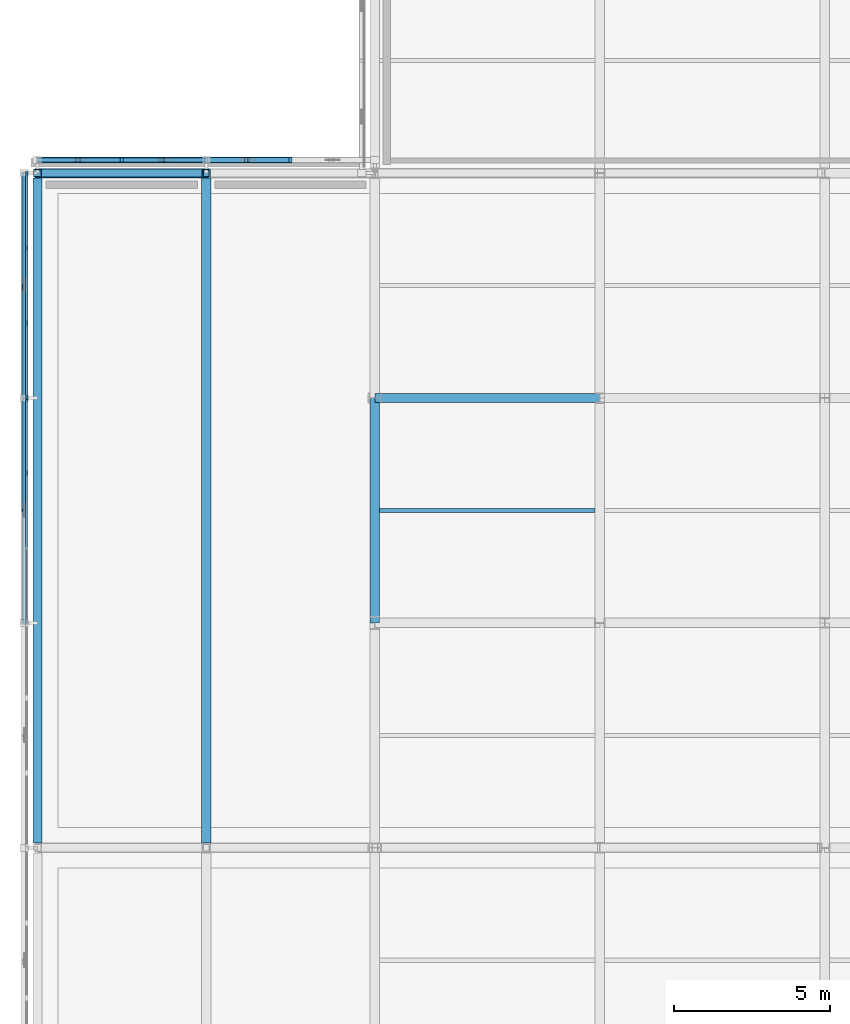
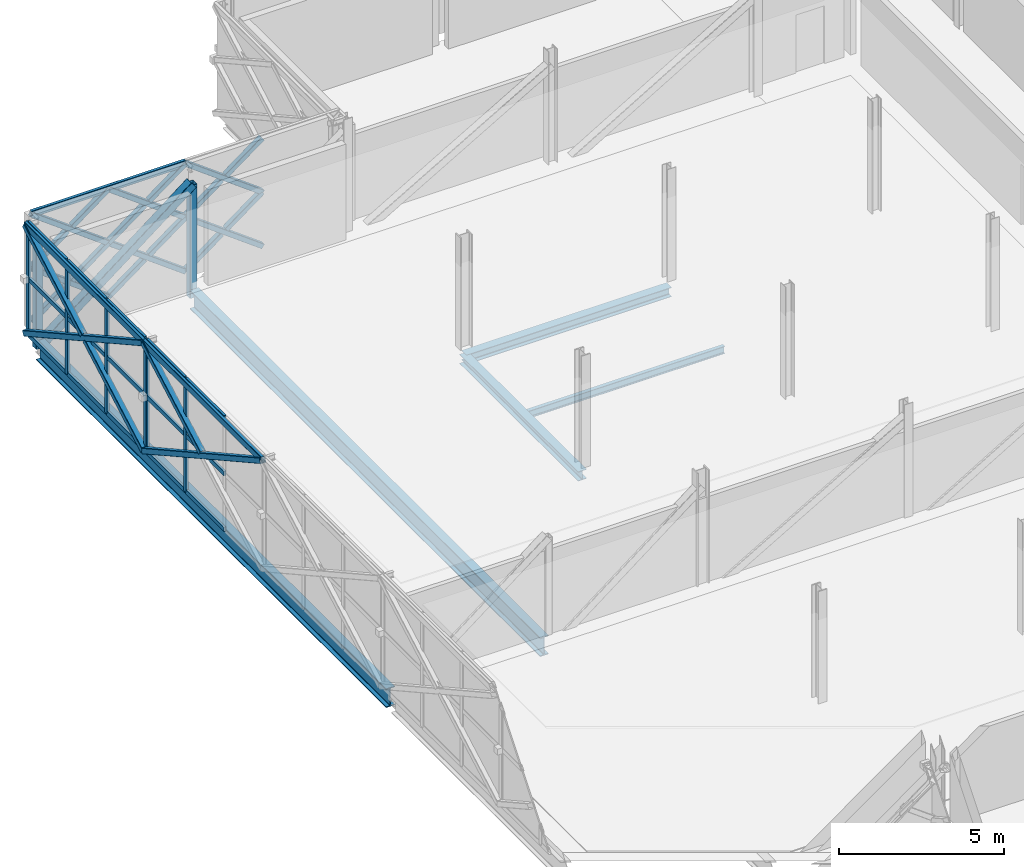
# One storey, part 42 of 126: 50 members, 5 beams, 2 elements without a shape of their own.
"""IFC4 building model written with IfcOpenShell, lengths in metres."""

from ifc_helpers import new_model, si_unit, direction, frame, origin, origin_2d, place, context, subcontext, project, spatial, rectangle, hollow_rectangle, i_section, extrude, material, material_profile, profile_set, type_object, element, aggregate, save


model = new_model("IFC4")

# Units and contexts
model_context = context("Model", 3, precision=1e-05, world=origin(), true_north=direction((0.0, 1.0)))
body_context = subcontext(model_context, "Body", "Model", "MODEL_VIEW")
ifc_project = project(units=[si_unit("LENGTHUNIT", "METRE"), si_unit("AREAUNIT", "SQUARE_METRE"), si_unit("VOLUMEUNIT", "CUBIC_METRE"), si_unit("PLANEANGLEUNIT", "RADIAN"), si_unit("MASSUNIT", "GRAM", prefix="KILO")], contexts=[model_context])

# Site, building, storey
site_placement = place(None, origin())
site = spatial("IfcSite", under=ifc_project, at=site_placement, CompositionType="ELEMENT")
building_placement = place(site_placement, origin())
building = spatial("IfcBuilding", under=site, at=building_placement, Name="Zlatovets Crest Museum", CompositionType="ELEMENT")
storey_placement = place(building_placement, frame((0.0, 0.0, 8.699951171875)))
storey = spatial("IfcBuildingStorey", under=building, at=storey_placement, Name="L02", CompositionType="ELEMENT", Elevation=8.699951171875)

# Beams
ifc_material_1 = material(Name="Structural steel S355J2", Category="steel")
ifc_material_profile_1 = material_profile(ifc_material_1, i_section(OverallWidth=0.300048828125, OverallDepth=0.35009765625, WebThickness=0.010009765625, FlangeThickness=0.017578125, FilletRadius=0.027099609375, at=origin_2d()), Name="HEA 360")
ifc_profile_set_1 = profile_set([ifc_material_profile_1], Name="Structural steel S355J2")
beam_type_1 = type_object("IfcBeamType", Name="Beam_B-03", PredefinedType="BEAM", material=ifc_profile_set_1)
for number, where, z_axis, x_axis, name in (
    (1, (7.199951171875, 86.39990234375, -0.39501953125), (1.0, 0.0, 0.0), (0.0, 1.0, 0.0), "V4 L02 Primary Girder B-03"),
    (2, (7.199951171875, 79.199951171875, -0.39501953125), (0.0, 1.0, 0.0), (-1.0, 0.0, 0.0), "V4 L02 Grid Beam B-03"),
):
    element("IfcBeam", number, at=place(storey_placement, frame(where, z_axis=z_axis, x_axis=x_axis)), inside=storey, type_object=beam_type_1, Name=name, PredefinedType="BEAM", context=body_context, shape_type="SweptSolid", body=[
        extrude(i_section(OverallWidth=0.300048828125, OverallDepth=0.35009765625, WebThickness=0.010009765625, FlangeThickness=0.017578125, FilletRadius=0.027099609375, at=origin_2d()), origin(), (0.0, 0.0, 1.0), 7.199951171875),
    ])
ifc_material_profile_2 = material_profile(ifc_material_1, i_section(OverallWidth=0.300048828125, OverallDepth=0.699951171875, WebThickness=0.01708984375, FlangeThickness=0.031982421875, FilletRadius=0.027099609375, at=origin_2d()), Name="HEB 700")
ifc_profile_set_2 = profile_set([ifc_material_profile_2], Name="Structural steel S355J2")
beam_type_2 = type_object("IfcBeamType", Name="Beam_B-08", PredefinedType="BEAM", material=ifc_profile_set_2)
for number, where, z_axis, x_axis, name in (
    (3, (-3.60009765625, 72.159912109375, -0.570068359375), (0.0, 1.0, 0.0), (-1.0, 0.0, 0.0), "Cantilever Gallery L02 Floor Beam B-08"),
    (4, (1.800048828125, 72.159912109375, -0.570068359375), (0.0, 1.0, 0.0), (-1.0, 0.0, 0.0), "Cantilever Gallery L02 Floor Beam B-08"),
):
    element("IfcBeam", number, at=place(storey_placement, frame(where, z_axis=z_axis, x_axis=x_axis)), inside=storey, type_object=beam_type_2, Name=name, PredefinedType="BEAM", context=body_context, shape_type="SweptSolid", body=[
        extrude(i_section(OverallWidth=0.300048828125, OverallDepth=0.699951171875, WebThickness=0.01708984375, FlangeThickness=0.031982421875, FilletRadius=0.027099609375, at=origin_2d()), origin(), (0.0, 0.0, 1.0), 21.280029296875),
    ])
ifc_material_profile_3 = material_profile(ifc_material_1, i_section(OverallWidth=0.135009765625, OverallDepth=0.27001953125, WebThickness=0.006591796875, FlangeThickness=0.01025390625, FilletRadius=0.014892578125, at=origin_2d()), Name="IPE 270")
ifc_profile_set_3 = profile_set([ifc_material_profile_3], Name="Structural steel S355J2")
beam_type_3 = type_object("IfcBeamType", Name="Beam_J-03", PredefinedType="JOIST", material=ifc_profile_set_3)
beam_placement = place(storey_placement, frame((7.35009765625, 82.800048828125, -0.35498046875), z_axis=(1.0, 0.0, 0.0), x_axis=(0.0, 1.0, 0.0)))
element("IfcBeam", 5, at=beam_placement, inside=storey, type_object=beam_type_3, Name="V4 L02 Composite Joist J-03", PredefinedType="JOIST", context=body_context, shape_type="SweptSolid", body=[
    extrude(i_section(OverallWidth=0.135009765625, OverallDepth=0.27001953125, WebThickness=0.006591796875, FlangeThickness=0.01025390625, FilletRadius=0.014892578125, at=origin_2d()), origin(), (0.0, 0.0, 1.0), 6.89990234375),
])

# Curtain wall, members
ifc_material_2 = material(Name="Bronze-anodised aluminium and low-E triple glass", Category="aluminium")
curtain_wall_type_1 = type_object("IfcCurtainWallType", Name="CW_CW-V4-L02-M2", PredefinedType="NOTDEFINED", material=ifc_material_2)
curtain_wall_1_placement = place(storey_placement, origin())
curtain_wall_1 = element("IfcCurtainWall", 6, at=curtain_wall_1_placement, inside=storey, type_object=curtain_wall_type_1, Name="V4 L02 Secession Foyer Clear Curtain Wall", PredefinedType="NOTDEFINED")
ifc_material_3 = material(Name="Bronze-anodised aluminium EN AW-6060", Category="aluminium")
ifc_material_profile_4 = material_profile(ifc_material_3, rectangle(XDim=0.080078125, YDim=0.159912109375, at=origin_2d()), Name="ALU 80x160")
ifc_profile_set_4 = profile_set([ifc_material_profile_4], Name="Bronze-anodised aluminium EN AW-6060")
member_type_1 = type_object("IfcMemberType", Name="CWMull_M1", PredefinedType="MULLION", material=ifc_profile_set_4)
member_1_placement = place(storey_placement, frame((-3.93994140625, 93.570068359375, 0.0), z_axis=(0.0, 0.0, 1.0), x_axis=(1.0, 0.0, 0.0)))
member_1 = element("IfcMember", 7, at=member_1_placement, type_object=member_type_1, Name="CW-V4-L02-M2 mullion 1", PredefinedType="MULLION", context=body_context, shape_type="SweptSolid", body=[
    extrude(rectangle(XDim=0.080078125, YDim=0.159912109375, at=origin_2d()), origin(), (0.0, 0.0, 1.0), 4.199951171875),
])
member_2_placement = place(storey_placement, frame((-3.93994140625, 91.199951171875, 0.0), z_axis=(0.0, 0.0, 1.0), x_axis=(1.0, 0.0, 0.0)))
member_2 = element("IfcMember", 8, at=member_2_placement, type_object=member_type_1, Name="CW-V4-L02-M2 mullion 2", PredefinedType="MULLION", context=body_context, shape_type="SweptSolid", body=[
    extrude(rectangle(XDim=0.080078125, YDim=0.159912109375, at=origin_2d()), origin(), (0.0, 0.0, 1.0), 4.199951171875),
])
member_3_placement = place(storey_placement, frame((-3.93994140625, 88.800048828125, 0.0), z_axis=(0.0, 0.0, 1.0), x_axis=(1.0, 0.0, 0.0)))
member_3 = element("IfcMember", 9, at=member_3_placement, type_object=member_type_1, Name="CW-V4-L02-M2 mullion 3", PredefinedType="MULLION", context=body_context, shape_type="SweptSolid", body=[
    extrude(rectangle(XDim=0.080078125, YDim=0.159912109375, at=origin_2d()), origin(), (0.0, 0.0, 1.0), 4.199951171875),
])
member_4_placement = place(storey_placement, frame((-3.93994140625, 86.429931640625, 0.0), z_axis=(0.0, 0.0, 1.0), x_axis=(1.0, 0.0, 0.0)))
member_4 = element("IfcMember", 10, at=member_4_placement, type_object=member_type_1, Name="CW-V4-L02-M2 mullion 4", PredefinedType="MULLION", context=body_context, shape_type="SweptSolid", body=[
    extrude(rectangle(XDim=0.080078125, YDim=0.159912109375, at=origin_2d()), origin(), (0.0, 0.0, 1.0), 4.199951171875),
])

curtain_wall_type_2 = type_object("IfcCurtainWallType", Name="CW_CW-V4-L02-M3", PredefinedType="NOTDEFINED", material=ifc_material_2)
curtain_wall_2_placement = place(storey_placement, origin())
curtain_wall_2 = element("IfcCurtainWall", 11, at=curtain_wall_2_placement, inside=storey, type_object=curtain_wall_type_2, Name="V4 L02 Secession Foyer Clear Curtain Wall", PredefinedType="NOTDEFINED")
member_5_placement = place(storey_placement, frame((-3.93994140625, 86.3701171875, 0.0), z_axis=(0.0, 0.0, 1.0), x_axis=(1.0, 0.0, 0.0)))
member_5 = element("IfcMember", 12, at=member_5_placement, type_object=member_type_1, Name="CW-V4-L02-M3 mullion 1", PredefinedType="MULLION", context=body_context, shape_type="SweptSolid", body=[
    extrude(rectangle(XDim=0.080078125, YDim=0.159912109375, at=origin_2d()), origin(), (0.0, 0.0, 1.0), 4.199951171875),
])
member_6_placement = place(storey_placement, frame((-3.93994140625, 84.0, 0.0), z_axis=(0.0, 0.0, 1.0), x_axis=(1.0, 0.0, 0.0)))
member_6 = element("IfcMember", 13, at=member_6_placement, type_object=member_type_1, Name="CW-V4-L02-M3 mullion 2", PredefinedType="MULLION", context=body_context, shape_type="SweptSolid", body=[
    extrude(rectangle(XDim=0.080078125, YDim=0.159912109375, at=origin_2d()), origin(), (0.0, 0.0, 1.0), 4.199951171875),
])

# Member
ifc_material_profile_5 = material_profile(ifc_material_3, rectangle(XDim=0.080078125, YDim=0.159912109375, at=origin_2d()), Name="ALU 80x160")
ifc_profile_set_5 = profile_set([ifc_material_profile_5], Name="Bronze-anodised aluminium EN AW-6060")
member_type_2 = type_object("IfcMemberType", Name="CWTrans_T1", PredefinedType="USERDEFINED", material=ifc_profile_set_5)
member_7_placement = place(storey_placement, frame((-3.93994140625, 93.5400390625, 0.030029296875), z_axis=(0.0, -1.0, 0.0), x_axis=(1.0, 0.0, 0.0)))
member_7 = element("IfcMember", 14, at=member_7_placement, type_object=member_type_2, Name="CW-V4-L02-M2 transom 1.1", ObjectType="TRANSOM", PredefinedType="USERDEFINED", context=body_context, shape_type="SweptSolid", body=[
    extrude(rectangle(XDim=0.080078125, YDim=0.159912109375, at=origin_2d()), origin(), (0.0, 0.0, 1.0), 2.31005859375),
])

member_8_placement = place(storey_placement, frame((-3.93994140625, 93.5400390625, 2.10009765625), z_axis=(0.0, -1.0, 0.0), x_axis=(1.0, 0.0, 0.0)))
member_8 = element("IfcMember", 15, at=member_8_placement, type_object=member_type_2, Name="CW-V4-L02-M2 transom 1.2", ObjectType="TRANSOM", PredefinedType="USERDEFINED", context=body_context, shape_type="SweptSolid", body=[
    extrude(rectangle(XDim=0.080078125, YDim=0.159912109375, at=origin_2d()), origin(), (0.0, 0.0, 1.0), 2.31005859375),
])

member_9_placement = place(storey_placement, frame((-3.93994140625, 93.5400390625, 4.170166015625), z_axis=(0.0, -1.0, 0.0), x_axis=(1.0, 0.0, 0.0)))
member_9 = element("IfcMember", 16, at=member_9_placement, type_object=member_type_2, Name="CW-V4-L02-M2 transom 1.3", ObjectType="TRANSOM", PredefinedType="USERDEFINED", context=body_context, shape_type="SweptSolid", body=[
    extrude(rectangle(XDim=0.080078125, YDim=0.159912109375, at=origin_2d()), origin(), (0.0, 0.0, 1.0), 2.31005859375),
])

member_10_placement = place(storey_placement, frame((-3.93994140625, 91.169921875, 0.030029296875), z_axis=(0.0, -1.0, 0.0), x_axis=(1.0, 0.0, 0.0)))
member_10 = element("IfcMember", 17, at=member_10_placement, type_object=member_type_2, Name="CW-V4-L02-M2 transom 2.1", ObjectType="TRANSOM", PredefinedType="USERDEFINED", context=body_context, shape_type="SweptSolid", body=[
    extrude(rectangle(XDim=0.080078125, YDim=0.159912109375, at=origin_2d()), origin(), (0.0, 0.0, 1.0), 2.33984375),
])

member_11_placement = place(storey_placement, frame((-3.93994140625, 91.169921875, 2.10009765625), z_axis=(0.0, -1.0, 0.0), x_axis=(1.0, 0.0, 0.0)))
member_11 = element("IfcMember", 18, at=member_11_placement, type_object=member_type_2, Name="CW-V4-L02-M2 transom 2.2", ObjectType="TRANSOM", PredefinedType="USERDEFINED", context=body_context, shape_type="SweptSolid", body=[
    extrude(rectangle(XDim=0.080078125, YDim=0.159912109375, at=origin_2d()), origin(), (0.0, 0.0, 1.0), 2.33984375),
])

member_12_placement = place(storey_placement, frame((-3.93994140625, 91.169921875, 4.170166015625), z_axis=(0.0, -1.0, 0.0), x_axis=(1.0, 0.0, 0.0)))
member_12 = element("IfcMember", 19, at=member_12_placement, type_object=member_type_2, Name="CW-V4-L02-M2 transom 2.3", ObjectType="TRANSOM", PredefinedType="USERDEFINED", context=body_context, shape_type="SweptSolid", body=[
    extrude(rectangle(XDim=0.080078125, YDim=0.159912109375, at=origin_2d()), origin(), (0.0, 0.0, 1.0), 2.33984375),
])

member_13_placement = place(storey_placement, frame((-3.93994140625, 88.77001953125, 0.030029296875), z_axis=(0.0, -1.0, 0.0), x_axis=(1.0, 0.0, 0.0)))
member_13 = element("IfcMember", 20, at=member_13_placement, type_object=member_type_2, Name="CW-V4-L02-M2 transom 3.1", ObjectType="TRANSOM", PredefinedType="USERDEFINED", context=body_context, shape_type="SweptSolid", body=[
    extrude(rectangle(XDim=0.080078125, YDim=0.159912109375, at=origin_2d()), origin(), (0.0, 0.0, 1.0), 2.31005859375),
])

member_14_placement = place(storey_placement, frame((-3.93994140625, 88.77001953125, 2.10009765625), z_axis=(0.0, -1.0, 0.0), x_axis=(1.0, 0.0, 0.0)))
member_14 = element("IfcMember", 21, at=member_14_placement, type_object=member_type_2, Name="CW-V4-L02-M2 transom 3.2", ObjectType="TRANSOM", PredefinedType="USERDEFINED", context=body_context, shape_type="SweptSolid", body=[
    extrude(rectangle(XDim=0.080078125, YDim=0.159912109375, at=origin_2d()), origin(), (0.0, 0.0, 1.0), 2.31005859375),
])

member_15_placement = place(storey_placement, frame((-3.93994140625, 88.77001953125, 4.170166015625), z_axis=(0.0, -1.0, 0.0), x_axis=(1.0, 0.0, 0.0)))
member_15 = element("IfcMember", 22, at=member_15_placement, type_object=member_type_2, Name="CW-V4-L02-M2 transom 3.3", ObjectType="TRANSOM", PredefinedType="USERDEFINED", context=body_context, shape_type="SweptSolid", body=[
    extrude(rectangle(XDim=0.080078125, YDim=0.159912109375, at=origin_2d()), origin(), (0.0, 0.0, 1.0), 2.31005859375),
])

aggregate(curtain_wall_1, [member_1, member_2, member_3, member_4, member_7, member_8, member_9, member_10, member_11, member_12, member_13, member_14, member_15])

member_16_placement = place(storey_placement, frame((-3.93994140625, 86.340087890625, 0.030029296875), z_axis=(0.0, -1.0, 0.0), x_axis=(1.0, 0.0, 0.0)))
member_16 = element("IfcMember", 23, at=member_16_placement, type_object=member_type_2, Name="CW-V4-L02-M3 transom 1.1", ObjectType="TRANSOM", PredefinedType="USERDEFINED", context=body_context, shape_type="SweptSolid", body=[
    extrude(rectangle(XDim=0.080078125, YDim=0.159912109375, at=origin_2d()), origin(), (0.0, 0.0, 1.0), 2.31005859375),
])

member_17_placement = place(storey_placement, frame((-3.93994140625, 86.340087890625, 2.10009765625), z_axis=(0.0, -1.0, 0.0), x_axis=(1.0, 0.0, 0.0)))
member_17 = element("IfcMember", 24, at=member_17_placement, type_object=member_type_2, Name="CW-V4-L02-M3 transom 1.2", ObjectType="TRANSOM", PredefinedType="USERDEFINED", context=body_context, shape_type="SweptSolid", body=[
    extrude(rectangle(XDim=0.080078125, YDim=0.159912109375, at=origin_2d()), origin(), (0.0, 0.0, 1.0), 2.31005859375),
])

member_18_placement = place(storey_placement, frame((-3.93994140625, 86.340087890625, 4.170166015625), z_axis=(0.0, -1.0, 0.0), x_axis=(1.0, 0.0, 0.0)))
member_18 = element("IfcMember", 25, at=member_18_placement, type_object=member_type_2, Name="CW-V4-L02-M3 transom 1.3", ObjectType="TRANSOM", PredefinedType="USERDEFINED", context=body_context, shape_type="SweptSolid", body=[
    extrude(rectangle(XDim=0.080078125, YDim=0.159912109375, at=origin_2d()), origin(), (0.0, 0.0, 1.0), 2.31005859375),
])

member_19_placement = place(storey_placement, frame((-3.93994140625, 83.969970703125, 0.030029296875), z_axis=(0.0, -1.0, 0.0), x_axis=(1.0, 0.0, 0.0)))
member_19 = element("IfcMember", 26, at=member_19_placement, type_object=member_type_2, Name="CW-V4-L02-M3 transom 2.1", ObjectType="TRANSOM", PredefinedType="USERDEFINED", context=body_context, shape_type="SweptSolid", body=[
    extrude(rectangle(XDim=0.080078125, YDim=0.159912109375, at=origin_2d()), origin(), (0.0, 0.0, 1.0), 2.340087890625),
])

member_20_placement = place(storey_placement, frame((-3.93994140625, 83.969970703125, 2.10009765625), z_axis=(0.0, -1.0, 0.0), x_axis=(1.0, 0.0, 0.0)))
member_20 = element("IfcMember", 27, at=member_20_placement, type_object=member_type_2, Name="CW-V4-L02-M3 transom 2.2", ObjectType="TRANSOM", PredefinedType="USERDEFINED", context=body_context, shape_type="SweptSolid", body=[
    extrude(rectangle(XDim=0.080078125, YDim=0.159912109375, at=origin_2d()), origin(), (0.0, 0.0, 1.0), 2.340087890625),
])

member_21_placement = place(storey_placement, frame((-3.93994140625, 83.969970703125, 4.170166015625), z_axis=(0.0, -1.0, 0.0), x_axis=(1.0, 0.0, 0.0)))
member_21 = element("IfcMember", 28, at=member_21_placement, type_object=member_type_2, Name="CW-V4-L02-M3 transom 2.3", ObjectType="TRANSOM", PredefinedType="USERDEFINED", context=body_context, shape_type="SweptSolid", body=[
    extrude(rectangle(XDim=0.080078125, YDim=0.159912109375, at=origin_2d()), origin(), (0.0, 0.0, 1.0), 2.340087890625),
])

aggregate(curtain_wall_2, [member_5, member_6, member_16, member_17, member_18, member_19, member_20, member_21])

# Members
ifc_material_4 = material(Name="Weathering bronze-steel S355J2W", Category="steel")
ifc_material_profile_6 = material_profile(ifc_material_4, hollow_rectangle(XDim=0.179931640625, YDim=0.179931640625, WallThickness=0.010009765625, InnerFilletRadius=0.010009765625, OuterFilletRadius=0.02001953125, at=origin_2d()), Name="SHS 180x180x10.0")
ifc_profile_set_6 = profile_set([ifc_material_profile_6], Name="Weathering bronze-steel S355J2W")
member_type_3 = type_object("IfcMemberType", Name="Lattice_XL-01", PredefinedType="BRACE", material=ifc_profile_set_6)
member_22_placement = place(storey_placement, frame((4.5, 94.02001953125, 0.10009765625), z_axis=(-0.803552044655, 0.0, 0.595234501294), x_axis=(0.0, -1.0, 0.0)))
element("IfcMember", 29, at=member_22_placement, inside=storey, type_object=member_type_3, Name="Continuous Bronze Lattice Diagonal", PredefinedType="BRACE", context=body_context, shape_type="SweptSolid", body=[
    extrude(hollow_rectangle(XDim=0.179931640625, YDim=0.179931640625, WallThickness=0.010009765625, InnerFilletRadius=0.010009765625, OuterFilletRadius=0.02001953125, at=origin_2d()), origin(), (0.0, 0.0, 1.0), 3.360107421875),
])
member_23_placement = place(storey_placement, frame((4.5, 94.02001953125, 2.10009765625), z_axis=(-0.803516265271, 0.0, -0.595282799554), x_axis=(0.0, -1.0, 0.0)))
element("IfcMember", 30, at=member_23_placement, inside=storey, type_object=member_type_3, Name="Split Crossing Bronze Lattice Diagonal Upper", PredefinedType="BRACE", context=body_context, shape_type="SweptSolid", body=[
    extrude(hollow_rectangle(XDim=0.179931640625, YDim=0.179931640625, WallThickness=0.010009765625, InnerFilletRadius=0.010009765625, OuterFilletRadius=0.02001953125, at=origin_2d()), origin(), (0.0, 0.0, 1.0), 1.585205078125),
])
member_24_placement = place(storey_placement, frame((3.07373046875, 94.02001953125, 1.04345703125), z_axis=(-0.80358993607, 0.0, -0.595183345404), x_axis=(0.0, -1.0, 0.0)))
element("IfcMember", 31, at=member_24_placement, inside=storey, type_object=member_type_3, Name="Split Crossing Bronze Lattice Diagonal Lower", PredefinedType="BRACE", context=body_context, shape_type="SweptSolid", body=[
    extrude(hollow_rectangle(XDim=0.179931640625, YDim=0.179931640625, WallThickness=0.010009765625, InnerFilletRadius=0.010009765625, OuterFilletRadius=0.02001953125, at=origin_2d()), origin(), (0.0, 0.0, 1.0), 1.5849609375),
])
member_25_placement = place(storey_placement, frame((4.5, 94.02001953125, 2.10009765625), z_axis=(-0.803552044655, 0.0, 0.595234501294), x_axis=(0.0, -1.0, 0.0)))
element("IfcMember", 32, at=member_25_placement, inside=storey, type_object=member_type_3, Name="Continuous Bronze Lattice Diagonal", PredefinedType="BRACE", context=body_context, shape_type="SweptSolid", body=[
    extrude(hollow_rectangle(XDim=0.179931640625, YDim=0.179931640625, WallThickness=0.010009765625, InnerFilletRadius=0.010009765625, OuterFilletRadius=0.02001953125, at=origin_2d()), origin(), (0.0, 0.0, 1.0), 3.360107421875),
])
member_26_placement = place(storey_placement, frame((4.5, 94.02001953125, 4.10009765625), z_axis=(-0.803516265271, 0.0, -0.595282799554), x_axis=(0.0, -1.0, 0.0)))
element("IfcMember", 33, at=member_26_placement, inside=storey, type_object=member_type_3, Name="Split Crossing Bronze Lattice Diagonal Upper", PredefinedType="BRACE", context=body_context, shape_type="SweptSolid", body=[
    extrude(hollow_rectangle(XDim=0.179931640625, YDim=0.179931640625, WallThickness=0.010009765625, InnerFilletRadius=0.010009765625, OuterFilletRadius=0.02001953125, at=origin_2d()), origin(), (0.0, 0.0, 1.0), 1.585205078125),
])
member_27_placement = place(storey_placement, frame((3.07373046875, 94.02001953125, 3.04345703125), z_axis=(-0.80358993607, 0.0, -0.595183345404), x_axis=(0.0, -1.0, 0.0)))
element("IfcMember", 34, at=member_27_placement, inside=storey, type_object=member_type_3, Name="Split Crossing Bronze Lattice Diagonal Lower", PredefinedType="BRACE", context=body_context, shape_type="SweptSolid", body=[
    extrude(hollow_rectangle(XDim=0.179931640625, YDim=0.179931640625, WallThickness=0.010009765625, InnerFilletRadius=0.010009765625, OuterFilletRadius=0.02001953125, at=origin_2d()), origin(), (0.0, 0.0, 1.0), 1.5849609375),
])
member_28_placement = place(storey_placement, frame((1.800048828125, 94.02001953125, 0.10009765625), z_axis=(-0.803552044655, 0.0, 0.595234501294), x_axis=(0.0, -1.0, 0.0)))
element("IfcMember", 35, at=member_28_placement, inside=storey, type_object=member_type_3, Name="Continuous Bronze Lattice Diagonal", PredefinedType="BRACE", context=body_context, shape_type="SweptSolid", body=[
    extrude(hollow_rectangle(XDim=0.179931640625, YDim=0.179931640625, WallThickness=0.010009765625, InnerFilletRadius=0.010009765625, OuterFilletRadius=0.02001953125, at=origin_2d()), origin(), (0.0, 0.0, 1.0), 3.360107421875),
])
member_29_placement = place(storey_placement, frame((1.800048828125, 94.02001953125, 2.10009765625), z_axis=(-0.803516265271, 0.0, -0.595282799554), x_axis=(0.0, -1.0, 0.0)))
element("IfcMember", 36, at=member_29_placement, inside=storey, type_object=member_type_3, Name="Split Crossing Bronze Lattice Diagonal Upper", PredefinedType="BRACE", context=body_context, shape_type="SweptSolid", body=[
    extrude(hollow_rectangle(XDim=0.179931640625, YDim=0.179931640625, WallThickness=0.010009765625, InnerFilletRadius=0.010009765625, OuterFilletRadius=0.02001953125, at=origin_2d()), origin(), (0.0, 0.0, 1.0), 1.585205078125),
])
member_30_placement = place(storey_placement, frame((0.373779296875, 94.02001953125, 1.04345703125), z_axis=(-0.80358993607, 0.0, -0.595183345404), x_axis=(0.0, -1.0, 0.0)))
element("IfcMember", 37, at=member_30_placement, inside=storey, type_object=member_type_3, Name="Split Crossing Bronze Lattice Diagonal Lower", PredefinedType="BRACE", context=body_context, shape_type="SweptSolid", body=[
    extrude(hollow_rectangle(XDim=0.179931640625, YDim=0.179931640625, WallThickness=0.010009765625, InnerFilletRadius=0.010009765625, OuterFilletRadius=0.02001953125, at=origin_2d()), origin(), (0.0, 0.0, 1.0), 1.5849609375),
])
member_31_placement = place(storey_placement, frame((-0.89990234375, 94.02001953125, 0.10009765625), z_axis=(-0.803577786301, 0.0, 0.59519974913), x_axis=(0.0, -1.0, 0.0)))
element("IfcMember", 38, at=member_31_placement, inside=storey, type_object=member_type_3, Name="Continuous Bronze Lattice Diagonal", PredefinedType="BRACE", context=body_context, shape_type="SweptSolid", body=[
    extrude(hollow_rectangle(XDim=0.179931640625, YDim=0.179931640625, WallThickness=0.010009765625, InnerFilletRadius=0.010009765625, OuterFilletRadius=0.02001953125, at=origin_2d()), origin(), (0.0, 0.0, 1.0), 3.360107421875),
])
member_32_placement = place(storey_placement, frame((-0.89990234375, 94.02001953125, 2.10009765625), z_axis=(-0.803516265271, 0.0, -0.595282799554), x_axis=(0.0, -1.0, 0.0)))
element("IfcMember", 39, at=member_32_placement, inside=storey, type_object=member_type_3, Name="Split Crossing Bronze Lattice Diagonal Upper", PredefinedType="BRACE", context=body_context, shape_type="SweptSolid", body=[
    extrude(hollow_rectangle(XDim=0.179931640625, YDim=0.179931640625, WallThickness=0.010009765625, InnerFilletRadius=0.010009765625, OuterFilletRadius=0.02001953125, at=origin_2d()), origin(), (0.0, 0.0, 1.0), 1.585205078125),
])
member_33_placement = place(storey_placement, frame((-2.326416015625, 94.02001953125, 1.04345703125), z_axis=(-0.80358993607, 0.0, -0.595183345404), x_axis=(0.0, -1.0, 0.0)))
element("IfcMember", 40, at=member_33_placement, inside=storey, type_object=member_type_3, Name="Split Crossing Bronze Lattice Diagonal Lower", PredefinedType="BRACE", context=body_context, shape_type="SweptSolid", body=[
    extrude(hollow_rectangle(XDim=0.179931640625, YDim=0.179931640625, WallThickness=0.010009765625, InnerFilletRadius=0.010009765625, OuterFilletRadius=0.02001953125, at=origin_2d()), origin(), (0.0, 0.0, 1.0), 1.5849609375),
])
member_34_placement = place(storey_placement, frame((1.800048828125, 94.02001953125, 2.10009765625), z_axis=(-0.803552044655, 0.0, 0.595234501294), x_axis=(0.0, -1.0, 0.0)))
element("IfcMember", 41, at=member_34_placement, inside=storey, type_object=member_type_3, Name="Continuous Bronze Lattice Diagonal", PredefinedType="BRACE", context=body_context, shape_type="SweptSolid", body=[
    extrude(hollow_rectangle(XDim=0.179931640625, YDim=0.179931640625, WallThickness=0.010009765625, InnerFilletRadius=0.010009765625, OuterFilletRadius=0.02001953125, at=origin_2d()), origin(), (0.0, 0.0, 1.0), 3.360107421875),
])
member_35_placement = place(storey_placement, frame((1.800048828125, 94.02001953125, 4.10009765625), z_axis=(-0.803516265271, 0.0, -0.595282799554), x_axis=(0.0, -1.0, 0.0)))
element("IfcMember", 42, at=member_35_placement, inside=storey, type_object=member_type_3, Name="Split Crossing Bronze Lattice Diagonal Upper", PredefinedType="BRACE", context=body_context, shape_type="SweptSolid", body=[
    extrude(hollow_rectangle(XDim=0.179931640625, YDim=0.179931640625, WallThickness=0.010009765625, InnerFilletRadius=0.010009765625, OuterFilletRadius=0.02001953125, at=origin_2d()), origin(), (0.0, 0.0, 1.0), 1.585205078125),
])
member_36_placement = place(storey_placement, frame((0.373779296875, 94.02001953125, 3.04345703125), z_axis=(-0.80358993607, 0.0, -0.595183345404), x_axis=(0.0, -1.0, 0.0)))
element("IfcMember", 43, at=member_36_placement, inside=storey, type_object=member_type_3, Name="Split Crossing Bronze Lattice Diagonal Lower", PredefinedType="BRACE", context=body_context, shape_type="SweptSolid", body=[
    extrude(hollow_rectangle(XDim=0.179931640625, YDim=0.179931640625, WallThickness=0.010009765625, InnerFilletRadius=0.010009765625, OuterFilletRadius=0.02001953125, at=origin_2d()), origin(), (0.0, 0.0, 1.0), 1.5849609375),
])
member_37_placement = place(storey_placement, frame((-0.89990234375, 94.02001953125, 2.10009765625), z_axis=(-0.803577786301, 0.0, 0.59519974913), x_axis=(0.0, -1.0, 0.0)))
element("IfcMember", 44, at=member_37_placement, inside=storey, type_object=member_type_3, Name="Continuous Bronze Lattice Diagonal", PredefinedType="BRACE", context=body_context, shape_type="SweptSolid", body=[
    extrude(hollow_rectangle(XDim=0.179931640625, YDim=0.179931640625, WallThickness=0.010009765625, InnerFilletRadius=0.010009765625, OuterFilletRadius=0.02001953125, at=origin_2d()), origin(), (0.0, 0.0, 1.0), 3.360107421875),
])
member_38_placement = place(storey_placement, frame((-0.89990234375, 94.02001953125, 4.10009765625), z_axis=(-0.803516265271, 0.0, -0.595282799554), x_axis=(0.0, -1.0, 0.0)))
element("IfcMember", 45, at=member_38_placement, inside=storey, type_object=member_type_3, Name="Split Crossing Bronze Lattice Diagonal Upper", PredefinedType="BRACE", context=body_context, shape_type="SweptSolid", body=[
    extrude(hollow_rectangle(XDim=0.179931640625, YDim=0.179931640625, WallThickness=0.010009765625, InnerFilletRadius=0.010009765625, OuterFilletRadius=0.02001953125, at=origin_2d()), origin(), (0.0, 0.0, 1.0), 1.585205078125),
])
member_39_placement = place(storey_placement, frame((-2.326416015625, 94.02001953125, 3.04345703125), z_axis=(-0.80358993607, 0.0, -0.595183345404), x_axis=(0.0, -1.0, 0.0)))
element("IfcMember", 46, at=member_39_placement, inside=storey, type_object=member_type_3, Name="Split Crossing Bronze Lattice Diagonal Lower", PredefinedType="BRACE", context=body_context, shape_type="SweptSolid", body=[
    extrude(hollow_rectangle(XDim=0.179931640625, YDim=0.179931640625, WallThickness=0.010009765625, InnerFilletRadius=0.010009765625, OuterFilletRadius=0.02001953125, at=origin_2d()), origin(), (0.0, 0.0, 1.0), 1.5849609375),
])
ifc_material_profile_7 = material_profile(ifc_material_4, hollow_rectangle(XDim=0.199951171875, YDim=0.199951171875, WallThickness=0.012451171875, InnerFilletRadius=0.012451171875, OuterFilletRadius=0.02490234375, at=origin_2d()), Name="SHS 200x200x12.5")
ifc_profile_set_7 = profile_set([ifc_material_profile_7], Name="Weathering bronze-steel S355J2W")
member_type_4 = type_object("IfcMemberType", Name="Lattice_XL-02", PredefinedType="BRACE", material=ifc_profile_set_7)
member_40_placement = place(storey_placement, frame((-4.02001953125, 93.60009765625, 0.10009765625), z_axis=(0.0, -0.874162868644, 0.485632864501), x_axis=(1.0, 0.0, 0.0)))
element("IfcMember", 47, at=member_40_placement, inside=storey, type_object=member_type_4, Name="Continuous Bronze Lattice Diagonal", PredefinedType="BRACE", context=body_context, shape_type="SweptSolid", body=[
    extrude(hollow_rectangle(XDim=0.199951171875, YDim=0.199951171875, WallThickness=0.012451171875, InnerFilletRadius=0.012451171875, OuterFilletRadius=0.02490234375, at=origin_2d()), origin(), (0.0, 0.0, 1.0), 8.236572265625),
])
for number, where, z_axis, x_axis, name in (
    (48, (-4.02001953125, 93.60009765625, 4.10009765625), (0.0, -0.874165862873, -0.485627474703), (1.0, 0.0, 0.0), "Split Crossing Bronze Lattice Diagonal Upper"),
    (49, (-4.02001953125, 89.9169921875, 2.053955078125), (0.0, -0.874165862873, -0.485627474703), (1.0, 0.0, 0.0), "Split Crossing Bronze Lattice Diagonal Lower"),
):
    element("IfcMember", number, at=place(storey_placement, frame(where, z_axis=z_axis, x_axis=x_axis)), inside=storey, type_object=member_type_4, Name=name, PredefinedType="BRACE", context=body_context, shape_type="SweptSolid", body=[
        extrude(hollow_rectangle(XDim=0.199951171875, YDim=0.199951171875, WallThickness=0.012451171875, InnerFilletRadius=0.012451171875, OuterFilletRadius=0.02490234375, at=origin_2d()), origin(), (0.0, 0.0, 1.0), 4.0234375),
    ])
member_41_placement = place(storey_placement, frame((-4.02001953125, 86.39990234375, 0.10009765625), z_axis=(0.0, -0.874155877937, 0.485645447903), x_axis=(1.0, 0.0, 0.0)))
element("IfcMember", 50, at=member_41_placement, inside=storey, type_object=member_type_4, Name="Continuous Bronze Lattice Diagonal", PredefinedType="BRACE", context=body_context, shape_type="SweptSolid", body=[
    extrude(hollow_rectangle(XDim=0.199951171875, YDim=0.199951171875, WallThickness=0.012451171875, InnerFilletRadius=0.012451171875, OuterFilletRadius=0.02490234375, at=origin_2d()), origin(), (0.0, 0.0, 1.0), 8.236572265625),
])
member_42_placement = place(storey_placement, frame((-4.02001953125, 86.39990234375, 4.10009765625), z_axis=(0.0, -0.874151551165, -0.485653235958), x_axis=(1.0, 0.0, 0.0)))
element("IfcMember", 51, at=member_42_placement, inside=storey, type_object=member_type_4, Name="Split Crossing Bronze Lattice Diagonal Upper", PredefinedType="BRACE", context=body_context, shape_type="SweptSolid", body=[
    extrude(hollow_rectangle(XDim=0.199951171875, YDim=0.199951171875, WallThickness=0.012451171875, InnerFilletRadius=0.012451171875, OuterFilletRadius=0.02490234375, at=origin_2d()), origin(), (0.0, 0.0, 1.0), 4.023193359375),
])
ifc_material_profile_8 = material_profile(ifc_material_4, hollow_rectangle(XDim=0.1201171875, YDim=0.239990234375, WallThickness=0.010009765625, InnerFilletRadius=0.010009765625, OuterFilletRadius=0.02001953125, at=origin_2d()), Name="RHS 120x240x10.0")
ifc_profile_set_8 = profile_set([ifc_material_profile_8], Name="Weathering bronze-steel S355J2W")
member_type_5 = type_object("IfcMemberType", Name="Lattice_XL-04", PredefinedType="CHORD", material=ifc_profile_set_8)
member_43_placement = place(storey_placement, frame((1.800048828125, 94.02001953125, 4.10009765625), z_axis=(-1.0, 0.0, 0.0), x_axis=(0.0, -1.0, 0.0)))
element("IfcMember", 52, at=member_43_placement, inside=storey, type_object=member_type_5, Name="Art Nouveau Woven Cage Collector Ring Chord", PredefinedType="CHORD", context=body_context, shape_type="SweptSolid", body=[
    extrude(hollow_rectangle(XDim=0.1201171875, YDim=0.239990234375, WallThickness=0.010009765625, InnerFilletRadius=0.010009765625, OuterFilletRadius=0.02001953125, at=origin_2d()), origin(), (0.0, 0.0, 1.0), 5.400146484375),
])
member_44_placement = place(storey_placement, frame((-4.02001953125, 93.60009765625, 4.10009765625), z_axis=(0.0, -1.0, 0.0), x_axis=(1.0, 0.0, 0.0)))
element("IfcMember", 53, at=member_44_placement, inside=storey, type_object=member_type_5, Name="Art Nouveau Woven Cage Collector Ring Chord", PredefinedType="CHORD", context=body_context, shape_type="SweptSolid", body=[
    extrude(hollow_rectangle(XDim=0.1201171875, YDim=0.239990234375, WallThickness=0.010009765625, InnerFilletRadius=0.010009765625, OuterFilletRadius=0.02001953125, at=origin_2d()), origin(), (0.0, 0.0, 1.0), 7.2001953125),
])
member_45_placement = place(storey_placement, frame((-4.02001953125, 86.39990234375, 4.10009765625), z_axis=(0.0, -1.0, 0.0), x_axis=(1.0, 0.0, 0.0)))
element("IfcMember", 54, at=member_45_placement, inside=storey, type_object=member_type_5, Name="Art Nouveau Woven Cage Collector Ring Chord", PredefinedType="CHORD", context=body_context, shape_type="SweptSolid", body=[
    extrude(hollow_rectangle(XDim=0.1201171875, YDim=0.239990234375, WallThickness=0.010009765625, InnerFilletRadius=0.010009765625, OuterFilletRadius=0.02001953125, at=origin_2d()), origin(), (0.0, 0.0, 1.0), 7.199951171875),
])
ifc_material_profile_9 = material_profile(ifc_material_1, hollow_rectangle(XDim=0.25, YDim=0.25, WallThickness=0.012451171875, InnerFilletRadius=0.012451171875, OuterFilletRadius=0.02490234375, at=origin_2d()), Name="SHS 250x250x12.5")
ifc_profile_set_9 = profile_set([ifc_material_profile_9], Name="Structural steel S355J2")
member_type_6 = type_object("IfcMemberType", Name="Member_TM-07", PredefinedType="CHORD", material=ifc_profile_set_9)
for number, where, z_axis, x_axis, name in (
    (55, (-3.60009765625, 93.60009765625, -0.570068359375), (0.0, 0.0, 1.0), (1.0, 0.0, 0.0), "Transfer Truss TT-3 Lower Vertical Post"),
    (56, (1.800048828125, 93.60009765625, -0.570068359375), (0.0, 0.0, 1.0), (1.0, 0.0, 0.0), "Transfer Truss TT-3 Lower Vertical Post"),
):
    element("IfcMember", number, at=place(storey_placement, frame(where, z_axis=z_axis, x_axis=x_axis)), inside=storey, type_object=member_type_6, Name=name, PredefinedType="CHORD", context=body_context, shape_type="SweptSolid", body=[
        extrude(hollow_rectangle(XDim=0.25, YDim=0.25, WallThickness=0.012451171875, InnerFilletRadius=0.012451171875, OuterFilletRadius=0.02490234375, at=origin_2d()), origin(), (0.0, 0.0, 1.0), 4.18017578125),
    ])
ifc_material_profile_10 = material_profile(ifc_material_1, hollow_rectangle(XDim=0.300048828125, YDim=0.300048828125, WallThickness=0.01611328125, InnerFilletRadius=0.01611328125, OuterFilletRadius=0.031982421875, at=origin_2d()), Name="SHS 300x300x16.0")
ifc_profile_set_10 = profile_set([ifc_material_profile_10], Name="Structural steel S355J2")
member_type_7 = type_object("IfcMemberType", Name="Member_TM-08", PredefinedType="BRACE", material=ifc_profile_set_10)
member_46_placement = place(storey_placement, frame((-3.60009765625, 93.60009765625, -0.570068359375), z_axis=(0.79076501542, 0.0, 0.612119833357), x_axis=(0.0, 1.0, 0.0)))
element("IfcMember", 57, at=member_46_placement, inside=storey, type_object=member_type_7, Name="Transfer Truss TT-3 Lower Web Diagonal", PredefinedType="BRACE", context=body_context, shape_type="SweptSolid", body=[
    extrude(hollow_rectangle(XDim=0.300048828125, YDim=0.300048828125, WallThickness=0.01611328125, InnerFilletRadius=0.01611328125, OuterFilletRadius=0.031982421875, at=origin_2d()), origin(), (0.0, 0.0, 1.0), 6.8291015625),
])

save(model, "model.ifc")
